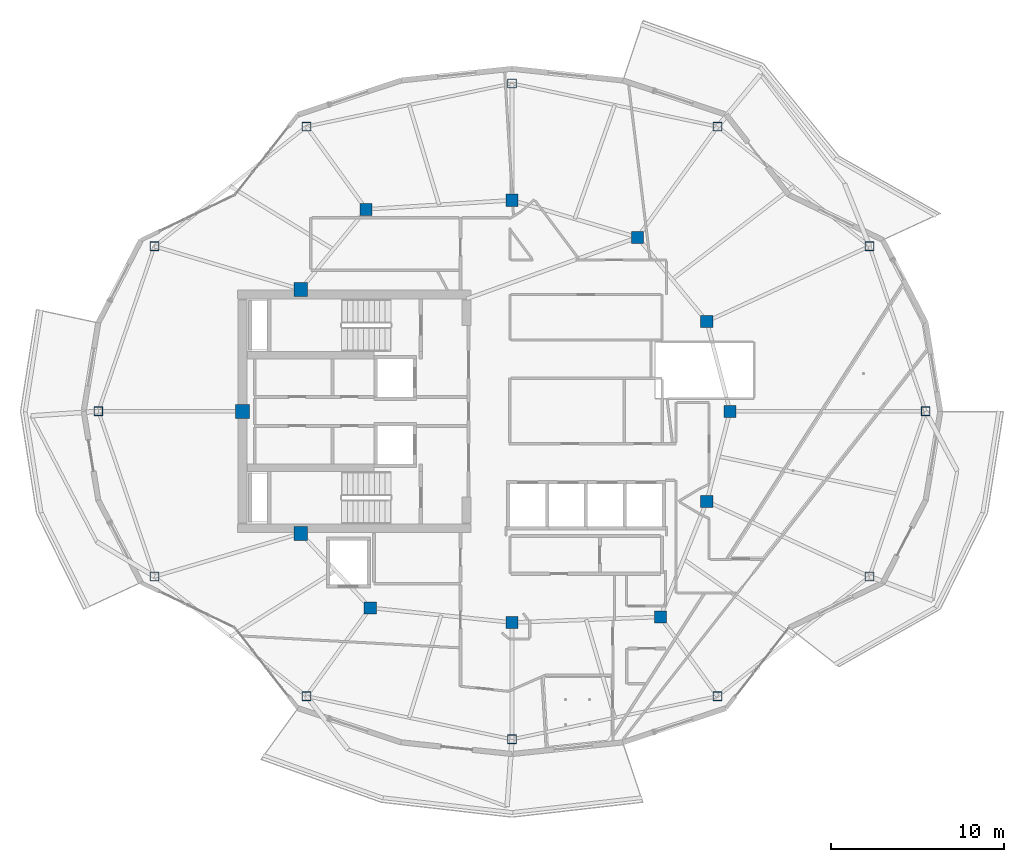
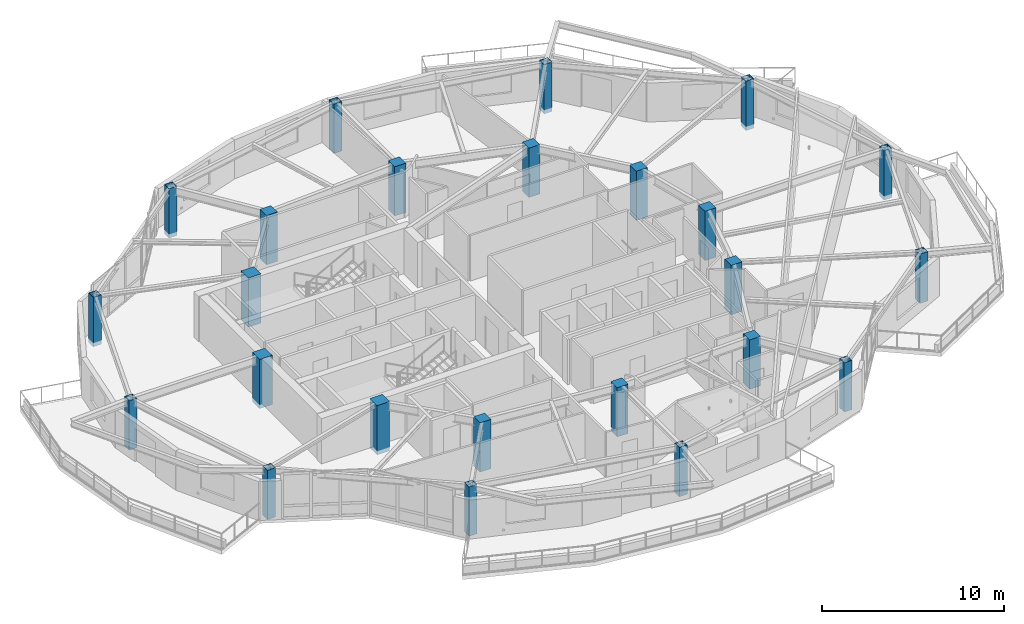
# One storey, part 1 of 19: 24 columns.
"""IFC4 building model written with IfcOpenShell, lengths in metres."""

from ifc_helpers import new_model, si_unit, direction, frame, origin, origin_2d, place, context, subcontext, project, spatial, rectangle, hollow_rectangle, extrude, material, material_profile, profile_set, type_object, element, save


model = new_model("IFC4")

# Units and contexts
model_context = context("Model", 3, precision=1e-05, world=origin(), true_north=direction((0.0, 1.0)))
body_context = subcontext(model_context, "Body", "Model", "MODEL_VIEW")
ifc_project = project(units=[si_unit("LENGTHUNIT", "METRE"), si_unit("AREAUNIT", "SQUARE_METRE"), si_unit("VOLUMEUNIT", "CUBIC_METRE"), si_unit("PLANEANGLEUNIT", "RADIAN"), si_unit("MASSUNIT", "GRAM", prefix="KILO")], contexts=[model_context])

# Site, building, storey
site_placement = place(None, origin())
site = spatial("IfcSite", under=ifc_project, at=site_placement, CompositionType="ELEMENT")
building_placement = place(site_placement, origin())
building = spatial("IfcBuilding", under=site, at=building_placement, Name="Kolvaren Gate Tower and Convention Centre", CompositionType="ELEMENT")
storey_placement = place(building_placement, frame((0.0, 0.0, 212.89990234375)))
storey = spatial("IfcBuildingStorey", under=building, at=storey_placement, Name="L56", CompositionType="ELEMENT", Elevation=212.89990234375)

# Columns
ifc_material_1 = material(Name="Structural steel ASTM A500 Grade C 345 MPa", Category="steel")
ifc_material_profile_1 = material_profile(ifc_material_1, hollow_rectangle(XDim=0.508056640625, YDim=0.508056640625, WallThickness=0.01904296875, at=origin_2d()), Name="HSS508X508X19.1")
ifc_profile_set_1 = profile_set([ifc_material_profile_1], Name="Structural steel ASTM A500 Grade C 345 MPa")
column_type_1 = type_object("IfcColumnType", Name="STR-COL-HSS508", PredefinedType="COLUMN", material=ifc_profile_set_1)
for number, where, z_axis, x_axis, name in (
    (1, (54.02490234375, 27.0, -0.27001953125), (0.0, 0.0, 1.0), (1.0, 0.0, 0.0), "Tower L56 Perimeter Supercolumn TP-01"),
    (2, (50.787353515625, 36.543701171875, -0.27001953125), (0.0, 0.0, 1.0), (1.0, 0.0, 0.0), "Tower L56 Perimeter Supercolumn TP-02"),
    (3, (42.002685546875, 43.4580078125, -0.27001953125), (0.0, 0.0, 1.0), (1.0, 0.0, 0.0), "Tower L56 Perimeter Supercolumn TP-03"),
    (4, (30.125, 45.949951171875, -0.27001953125), (0.0, 0.0, 1.0), (1.0, 0.0, 0.0), "Tower L56 Perimeter Supercolumn TP-04"),
    (5, (18.247314453125, 43.4580078125, -0.27001953125), (0.0, 0.0, 1.0), (1.0, 0.0, 0.0), "Tower L56 Perimeter Supercolumn TP-05"),
    (6, (9.462646484375, 36.543701171875, -0.27001953125), (0.0, 0.0, 1.0), (1.0, 0.0, 0.0), "Tower L56 Perimeter Supercolumn TP-06"),
    (7, (6.22509765625, 27.0, -0.27001953125), (0.0, 0.0, 1.0), (1.0, 0.0, 0.0), "Tower L56 Perimeter Supercolumn TP-07"),
    (8, (9.462646484375, 17.456298828125, -0.27001953125), (0.0, 0.0, 1.0), (1.0, 0.0, 0.0), "Tower L56 Perimeter Supercolumn TP-08"),
    (9, (18.247314453125, 10.5419921875, -0.27001953125), (0.0, 0.0, 1.0), (1.0, 0.0, 0.0), "Tower L56 Perimeter Supercolumn TP-09"),
    (10, (30.125, 8.050048828125, -0.27001953125), (0.0, 0.0, 1.0), (1.0, 0.0, 0.0), "Tower L56 Perimeter Supercolumn TP-10"),
    (11, (42.002685546875, 10.5419921875, -0.27001953125), (0.0, 0.0, 1.0), (1.0, 0.0, 0.0), "Tower L56 Perimeter Supercolumn TP-11"),
    (12, (50.787353515625, 17.456298828125, -0.27001953125), (0.0, 0.0, 1.0), (1.0, 0.0, 0.0), "Tower L56 Perimeter Supercolumn TP-12"),
):
    element("IfcColumn", number, at=place(storey_placement, frame(where, z_axis=z_axis, x_axis=x_axis)), inside=storey, type_object=column_type_1, Name=name, PredefinedType="COLUMN", context=body_context, shape_type="SweptSolid", body=[
        extrude(hollow_rectangle(XDim=0.508056640625, YDim=0.508056640625, WallThickness=0.01904296875, at=origin_2d()), origin(), (0.0, 0.0, 1.0), 3.300048828125),
    ])
ifc_material_2 = material(Name="Concrete C50/60", Category="concrete")
ifc_material_profile_2 = material_profile(ifc_material_2, rectangle(XDim=0.699951171875, YDim=0.699951171875, at=origin_2d()), Name="RC-COL-700X700")
ifc_profile_set_2 = profile_set([ifc_material_profile_2], Name="Concrete C50/60")
column_type_2 = type_object("IfcColumnType", Name="STR-COL-RC700", PredefinedType="COLUMN", material=ifc_profile_set_2)
for number, where, z_axis, x_axis, name in (
    (13, (42.72509765625, 27.0, -0.27001953125), (0.0, 0.0, 1.0), (1.0, 0.0, 0.0), "Tower L56 Interior Column TI-01"),
    (14, (41.382080078125, 32.199462890625, -0.27001953125), (0.0, 0.0, 1.0), (1.0, 0.0, 0.0), "Tower L56 Interior Column TI-02"),
    (15, (37.381591796875, 37.054931640625, -0.27001953125), (0.0, 0.0, 1.0), (1.0, 0.0, 0.0), "Tower L56 Interior Column TI-03"),
    (16, (30.125, 39.199951171875, -0.27001953125), (0.0, 0.0, 1.0), (1.0, 0.0, 0.0), "Tower L56 Interior Column TI-04"),
    (17, (21.697998046875, 38.6767578125, -0.27001953125), (0.0, 0.0, 1.0), (1.0, 0.0, 0.0), "Tower L56 Interior Column TI-05"),
    (18, (21.93212890625, 15.647705078125, -0.27001953125), (0.0, 0.0, 1.0), (1.0, 0.0, 0.0), "Tower L56 Interior Column TI-06"),
    (19, (30.125, 14.800048828125, -0.27001953125), (0.0, 0.0, 1.0), (1.0, 0.0, 0.0), "Tower L56 Interior Column TI-07"),
    (20, (38.6982421875, 15.12060546875, -0.27001953125), (0.0, 0.0, 1.0), (1.0, 0.0, 0.0), "Tower L56 Interior Column TI-08"),
    (21, (41.382080078125, 21.800537109375, -0.27001953125), (0.0, 0.0, 1.0), (1.0, 0.0, 0.0), "Tower L56 Interior Column TI-09"),
):
    element("IfcColumn", number, at=place(storey_placement, frame(where, z_axis=z_axis, x_axis=x_axis)), inside=storey, type_object=column_type_2, Name=name, PredefinedType="COLUMN", context=body_context, shape_type="SweptSolid", body=[
        extrude(rectangle(XDim=0.699951171875, YDim=0.699951171875, at=origin_2d()), origin(), (0.0, 0.0, 1.0), 3.300048828125),
    ])
ifc_material_3 = material(Name="Concrete C60/75", Category="concrete")
ifc_material_profile_3 = material_profile(ifc_material_3, rectangle(XDim=0.800048828125, YDim=0.800048828125, at=origin_2d()), Name="RC-COL-800X800")
ifc_profile_set_3 = profile_set([ifc_material_profile_3], Name="Concrete C60/75")
column_type_3 = type_object("IfcColumnType", Name="STR-PIL-RC800", PredefinedType="PILASTER", material=ifc_profile_set_3)
for number, where, z_axis, x_axis, name in (
    (22, (17.9140625, 34.050048828125, -0.27001953125), (0.0, 0.0, 1.0), (1.0, 0.0, 0.0), "Tower L56 Core Boundary Pilaster TC-05"),
    (23, (14.550048828125, 27.0, -0.27001953125), (0.0, 0.0, 1.0), (1.0, 0.0, 0.0), "Tower L56 Core Boundary Pilaster TC-06"),
    (24, (17.9140625, 19.949951171875, -0.27001953125), (0.0, 0.0, 1.0), (1.0, 0.0, 0.0), "Tower L56 Core Boundary Pilaster TC-07"),
):
    element("IfcColumn", number, at=place(storey_placement, frame(where, z_axis=z_axis, x_axis=x_axis)), inside=storey, type_object=column_type_3, Name=name, PredefinedType="PILASTER", context=body_context, shape_type="SweptSolid", body=[
        extrude(rectangle(XDim=0.800048828125, YDim=0.800048828125, at=origin_2d()), origin(), (0.0, 0.0, 1.0), 3.300048828125),
    ])

save(model, "model.ifc")
